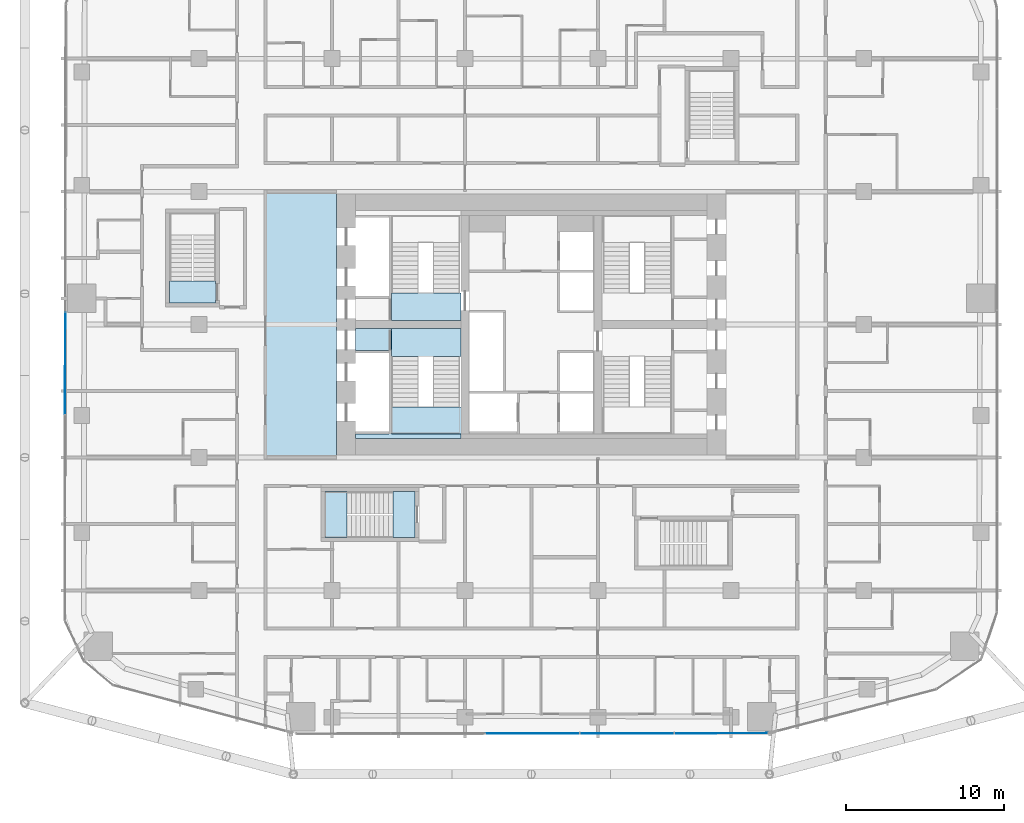
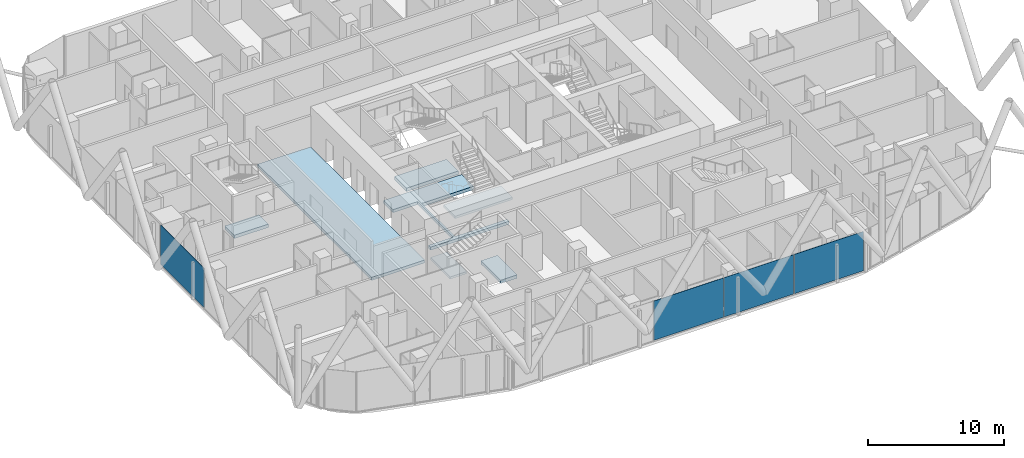
# One storey, part 19 of 35: 8 slabs, 4 plates, 4 elements without a shape of their own.
"""IFC4 building model written with IfcOpenShell, lengths in metres."""

from ifc_helpers import new_model, si_unit, direction, frame, origin, origin_2d, place, context, subcontext, project, spatial, polyline, rectangle, outline, extrude, material, layer, layer_set, type_object, element, aggregate, save


model = new_model("IFC4")

# Units and contexts
model_context = context("Model", 3, precision=1e-05, world=origin(), true_north=direction((0.0, 1.0)))
body_context = subcontext(model_context, "Body", "Model", "MODEL_VIEW")
ifc_project = project(units=[si_unit("LENGTHUNIT", "METRE"), si_unit("AREAUNIT", "SQUARE_METRE"), si_unit("VOLUMEUNIT", "CUBIC_METRE"), si_unit("PLANEANGLEUNIT", "RADIAN"), si_unit("MASSUNIT", "GRAM", prefix="KILO")], contexts=[model_context])

# Site, building, storey
site_placement = place(None, origin())
site = spatial("IfcSite", under=ifc_project, at=site_placement, CompositionType="ELEMENT")
building_placement = place(site_placement, origin())
building = spatial("IfcBuilding", under=site, at=building_placement, Name="Marenta Gate Hotel Tower", CompositionType="ELEMENT")
storey_placement = place(building_placement, frame((0.0, 0.0, 61.699951171875)))
storey = spatial("IfcBuildingStorey", under=building, at=storey_placement, Name="L13", CompositionType="ELEMENT", Elevation=61.699951171875)

# Slabs
ifc_material_1 = material(Name="Concrete C40", Category="concrete")
ifc_layer_1 = layer(ifc_material_1, 0.260009765625)
ifc_layer_set_1 = layer_set([ifc_layer_1], Name="Concrete C40")
slab_type_1 = type_object("IfcSlabType", Name="Core floor slab 260", PredefinedType="FLOOR", material=ifc_layer_set_1)
slab_1_placement = place(storey_placement, frame((0.0, 0.0, -0.260009765625)))
element("IfcSlab", 1, at=slab_1_placement, inside=storey, type_object=slab_type_1, Name="L13-CF-5", PredefinedType="FLOOR", context=body_context, shape_type="SweptSolid", body=[
    extrude(outline(polyline([(-9.0, 1.5), (-9.0, 1.64990234375), (-9.0, 4.050048828125), (-9.0, 4.199951171875), (-9.0, 6.60009765625), (-9.0, 6.75), (-11.10009765625, 6.75), (-11.10009765625, 8.14990234375), (-8.85009765625, 8.14990234375), (-8.85009765625, 8.10009765625), (-8.85009765625, 6.39990234375), (-8.85009765625, 1.5), (-4.449951171875, 1.5), (-4.449951171875, 1.199951171875), (-11.10009765625, 1.199951171875), (-11.10009765625, 1.5), (-9.0, 1.5)])), origin(), (0.0, 0.0, 1.0), 0.260009765625),
])
slab_2_placement = place(storey_placement, frame((0.0, 0.0, -0.260009765625)))
element("IfcSlab", 2, at=slab_2_placement, inside=storey, type_object=slab_type_1, Name="L13-CF-7", PredefinedType="FLOOR", context=body_context, shape_type="SweptSolid", body=[
    extrude(outline(polyline([(-12.300048828125, 16.800048828125), (-12.300048828125, 0.0), (-16.800048828125, 0.0), (-16.800048828125, 16.800048828125), (-12.300048828125, 16.800048828125)])), origin(), (0.0, 0.0, 1.0), 0.260009765625),
])

# Stair, slab
ifc_material_2 = material(Name="Concrete C40", Category="concrete")
stair_type_1 = type_object("IfcStairType", Name="Core exit stair 1700 wide", PredefinedType="HALF_TURN_STAIR", material=ifc_material_2)
stair_1_placement = place(storey_placement, origin())
stair_1 = element("IfcStair", 3, at=stair_1_placement, inside=storey, type_object=stair_type_1, Name="Exit stair 1", PredefinedType="HALF_TURN_STAIR")
ifc_material_3 = material(Name="Concrete C40", Category="concrete")
ifc_layer_2 = layer(ifc_material_3, 0.199951171875)
ifc_layer_set_2 = layer_set([ifc_layer_2], Name="Concrete C40")
slab_type_2 = type_object("IfcSlabType", Name="Core stair landing 200", PredefinedType="LANDING", material=ifc_layer_set_2)
slab_3_placement = place(storey_placement, frame((0.0, 0.0, 1.60009765625)))
slab_3 = element("IfcSlab", 4, at=slab_3_placement, type_object=slab_type_2, Name="SL-200 ST1 landing 1", PredefinedType="LANDING", context=body_context, shape_type="SweptSolid", body=[
    extrude(outline(polyline([(-8.85009765625, 1.5), (-3.949951171875, 1.5), (-3.949951171875, 3.2099609375), (-8.85009765625, 3.2099609375), (-8.85009765625, 1.5)])), origin(), (0.0, 0.0, 1.0), 0.199951171875),
])
aggregate(stair_1, [slab_3])

# Curtain wall, plate
ifc_material_4 = material(Name="Tinted insulated glass in bronze anodised frame", Category="glass")
ifc_layer_3 = layer(ifc_material_4, 0.1201171875)
ifc_layer_set_3 = layer_set([ifc_layer_3], Name="Tinted insulated glass in bronze anodised frame")
curtain_wall_type = type_object("IfcCurtainWallType", Name="Tower unitised curtain wall CW1", PredefinedType="NOTDEFINED", material=ifc_layer_set_3)
curtain_wall_1_placement = place(storey_placement, origin())
curtain_wall_1 = element("IfcCurtainWall", 5, at=curtain_wall_1_placement, inside=storey, type_object=curtain_wall_type, Name="CW1 run G04", PredefinedType="NOTDEFINED")
ifc_material_5 = material(Name="Tinted insulated glass", Category="glass")
ifc_layer_4 = layer(ifc_material_5, 0.028076171875)
ifc_layer_set_4 = layer_set([ifc_layer_4], Name="Tinted insulated glass")
plate_type = type_object("IfcPlateType", Name="Glass panel CW1 28 mm tinted insulated unit", PredefinedType="CURTAIN_PANEL", material=ifc_layer_set_4)
plate_1_placement = place(storey_placement, frame((-29.447998046875, 5.949951171875, 0.06005859375), z_axis=(0.0, 0.0, 1.0), x_axis=(-0.00156642217, -0.99999877316, 0.0)))
plate_1 = element("IfcPlate", 6, at=plate_1_placement, type_object=plate_type, Name="CW1 panel 4.1", PredefinedType="CURTAIN_PANEL", context=body_context, shape_type="SweptSolid", body=[
    extrude(rectangle(XDim=6.430419921875, YDim=0.028076171875, at=origin_2d()), origin(), (0.0, 0.0, 1.0), 3.5400390625),
])
aggregate(curtain_wall_1, [plate_1])

# Curtain wall, plates
curtain_wall_2_placement = place(storey_placement, origin())
curtain_wall_2 = element("IfcCurtainWall", 7, at=curtain_wall_2_placement, inside=storey, type_object=curtain_wall_type, Name="CW1 run G11", PredefinedType="NOTDEFINED")
plate_2_placement = place(storey_placement, frame((0.0615234375, -17.430419921875, 0.06005859375), z_axis=(0.0, 0.0, 1.0), x_axis=(0.999999324969, 0.001161921639, 0.0)))
plate_2 = element("IfcPlate", 8, at=plate_2_placement, type_object=plate_type, Name="CW1 panel 3.1", PredefinedType="CURTAIN_PANEL", context=body_context, shape_type="SweptSolid", body=[
    extrude(rectangle(XDim=5.912841796875, YDim=0.028076171875, at=origin_2d()), origin(), (0.0, 0.0, 1.0), 3.5400390625),
])
plate_3_placement = place(storey_placement, frame((6.034423828125, -17.423583984375, 0.06005859375), z_axis=(0.0, 0.0, 1.0), x_axis=(0.999999324969, 0.001161921639, 0.0)))
plate_3 = element("IfcPlate", 9, at=plate_3_placement, type_object=plate_type, Name="CW1 panel 4.1", PredefinedType="CURTAIN_PANEL", context=body_context, shape_type="SweptSolid", body=[
    extrude(rectangle(XDim=5.912841796875, YDim=0.028076171875, at=origin_2d()), origin(), (0.0, 0.0, 1.0), 3.5400390625),
])
plate_4_placement = place(storey_placement, frame((11.9921875, -17.41650390625, 0.06005859375), z_axis=(0.0, 0.0, 1.0), x_axis=(0.999999324969, 0.001161921639, 0.0)))
plate_4 = element("IfcPlate", 10, at=plate_4_placement, type_object=plate_type, Name="CW1 panel 5.1", PredefinedType="CURTAIN_PANEL", context=body_context, shape_type="SweptSolid", body=[
    extrude(rectangle(XDim=5.8828125, YDim=0.028076171875, at=origin_2d()), origin(), (0.0, 0.0, 1.0), 3.5400390625),
])
aggregate(curtain_wall_2, [plate_2, plate_3, plate_4])

# Stair, slab
ifc_material_6 = material(Name="Concrete C40", Category="concrete")
stair_type_2 = type_object("IfcStairType", Name="Remote exit stair 1400 wide", PredefinedType="HALF_TURN_STAIR", material=ifc_material_6)
stair_2_placement = place(storey_placement, origin())
stair_2 = element("IfcStair", 11, at=stair_2_placement, inside=storey, type_object=stair_type_2, Name="Exit stair RS-Z1-2", PredefinedType="HALF_TURN_STAIR")
ifc_material_7 = material(Name="Concrete C40", Category="concrete")
ifc_layer_5 = layer(ifc_material_7, 0.199951171875)
ifc_layer_set_5 = layer_set([ifc_layer_5], Name="Concrete C40")
slab_type_3 = type_object("IfcSlabType", Name="Remote stair landing 200", PredefinedType="LANDING", material=ifc_layer_set_5)
slab_4_placement = place(storey_placement, frame((0.0, 0.0, 1.60009765625)))
slab_4 = element("IfcSlab", 12, at=slab_4_placement, type_object=slab_type_3, Name="RL-200 RS-Z1-2 landing 1", PredefinedType="LANDING", context=body_context, shape_type="SweptSolid", body=[
    extrude(outline(polyline([(-13.050048828125, -5.050048828125), (-11.64990234375, -5.050048828125), (-11.64990234375, -2.14990234375), (-13.050048828125, -2.14990234375), (-13.050048828125, -5.050048828125)])), origin(), (0.0, 0.0, 1.0), 0.199951171875),
])
aggregate(stair_2, [slab_4])

# Slabs
ifc_material_8 = material(Name="Concrete C40", Category="concrete")
ifc_layer_6 = layer(ifc_material_8, 0.300048828125)
ifc_layer_set_6 = layer_set([ifc_layer_6], Name="Concrete C40")
slab_type_4 = type_object("IfcSlabType", Name="Stair floor landing slab 300", PredefinedType="FLOOR", material=ifc_layer_set_6)
slab_5_placement = place(storey_placement, frame((0.0, 0.0, -0.300048828125)))
element("IfcSlab", 13, at=slab_5_placement, inside=storey, type_object=slab_type_4, Name="L13-CL-ST1-1", PredefinedType="FLOOR", context=body_context, shape_type="SweptSolid", body=[
    extrude(outline(polyline([(-4.449951171875, 6.39990234375), (-8.85009765625, 6.39990234375), (-8.85009765625, 8.10009765625), (-8.85009765625, 8.14990234375), (-4.449951171875, 8.14990234375), (-4.449951171875, 6.39990234375)])), origin(), (0.0, 0.0, 1.0), 0.300048828125),
])
slab_6_placement = place(storey_placement, frame((0.0, 0.0, -0.300048828125)))
element("IfcSlab", 14, at=slab_6_placement, inside=storey, type_object=slab_type_4, Name="L13-CL-ST2-1", PredefinedType="FLOOR", context=body_context, shape_type="SweptSolid", body=[
    extrude(outline(polyline([(-4.449951171875, 8.64990234375), (-8.85009765625, 8.64990234375), (-8.85009765625, 8.699951171875), (-8.85009765625, 10.39990234375), (-4.449951171875, 10.39990234375), (-4.449951171875, 8.64990234375)])), origin(), (0.0, 0.0, 1.0), 0.300048828125),
])
slab_7_placement = place(storey_placement, frame((0.0, 0.0, -0.300048828125)))
element("IfcSlab", 15, at=slab_7_placement, inside=storey, type_object=slab_type_4, Name="L13-RS-Z1-2-CL", PredefinedType="FLOOR", context=body_context, shape_type="SweptSolid", body=[
    extrude(outline(polyline([(-7.35009765625, -5.050048828125), (-7.35009765625, -2.14990234375), (-8.75, -2.14990234375), (-8.75, -5.050048828125), (-7.35009765625, -5.050048828125)])), origin(), (0.0, 0.0, 1.0), 0.300048828125),
])
slab_8_placement = place(storey_placement, frame((0.0, 0.0, -0.300048828125)))
element("IfcSlab", 16, at=slab_8_placement, inside=storey, type_object=slab_type_4, Name="L13-RS-Z1-3-CL", PredefinedType="FLOOR", context=body_context, shape_type="SweptSolid", body=[
    extrude(outline(polyline([(-19.949951171875, 9.75), (-19.949951171875, 11.14990234375), (-22.85009765625, 11.14990234375), (-22.85009765625, 9.75), (-19.949951171875, 9.75)])), origin(), (0.0, 0.0, 1.0), 0.300048828125),
])

save(model, "model.ifc")
